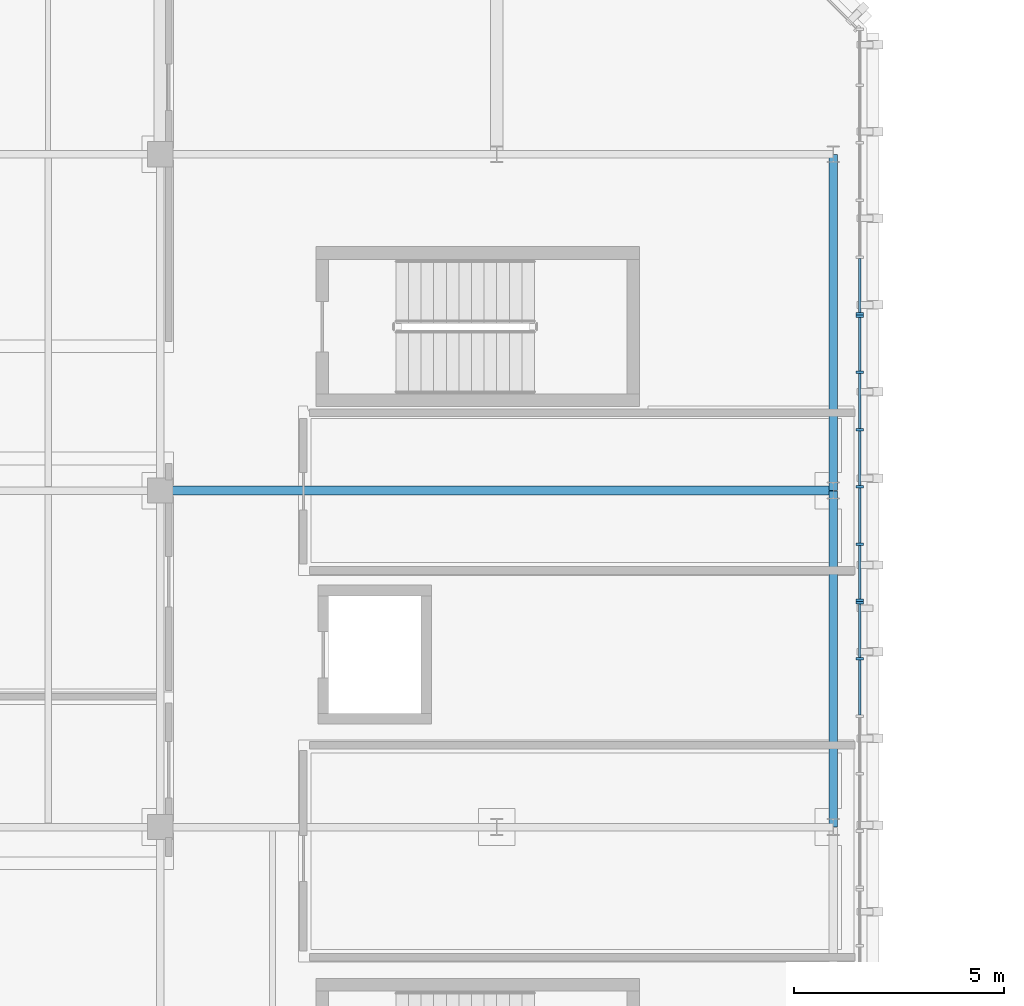
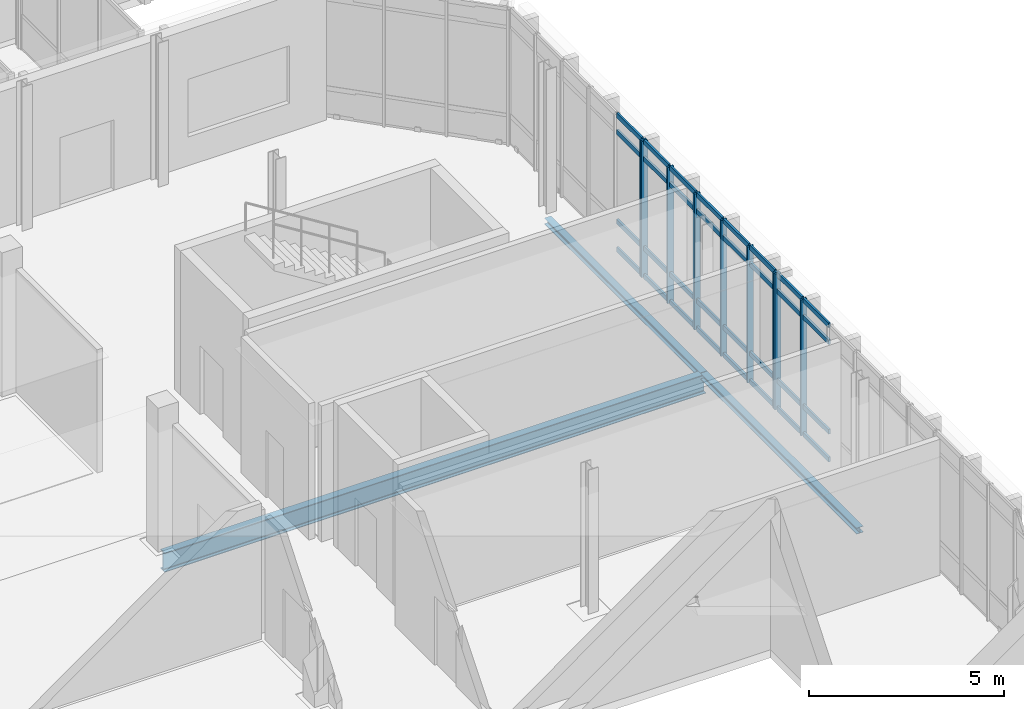
# One storey, part 21 of 86: 41 members, 3 beams, 3 elements without a shape of their own.
"""IFC4 building model written with IfcOpenShell, lengths in metres."""

from ifc_helpers import new_model, si_unit, direction, frame, origin, origin_2d, place, context, subcontext, project, spatial, rectangle, i_section, extrude, material, material_profile, profile_set, type_object, element, aggregate, save


model = new_model("IFC4")

# Units and contexts
model_context = context("Model", 3, precision=1e-05, world=origin(), true_north=direction((0.0, 1.0)))
body_context = subcontext(model_context, "Body", "Model", "MODEL_VIEW")
ifc_project = project(units=[si_unit("LENGTHUNIT", "METRE"), si_unit("AREAUNIT", "SQUARE_METRE"), si_unit("VOLUMEUNIT", "CUBIC_METRE"), si_unit("PLANEANGLEUNIT", "RADIAN"), si_unit("MASSUNIT", "GRAM", prefix="KILO")], contexts=[model_context])

# Site, building, storey
site_placement = place(None, origin())
site = spatial("IfcSite", under=ifc_project, at=site_placement, CompositionType="ELEMENT")
building_placement = place(site_placement, origin())
building = spatial("IfcBuilding", under=site, at=building_placement, Name="Cymarion Research Institute", CompositionType="ELEMENT")
storey_placement = place(building_placement, frame((0.0, 0.0, 13.800048828125)))
storey = spatial("IfcBuildingStorey", under=building, at=storey_placement, Name="L03", CompositionType="ELEMENT", Elevation=13.800048828125)

# Curtain wall, members
ifc_material_1 = material(Name="Anodised aluminium unitised curtain wall with Low-E glazing", Category="aluminium")
curtain_wall_type = type_object("IfcCurtainWallType", Name="UNITISED CURTAIN WALL CW20 6820X4250", PredefinedType="NOTDEFINED", material=ifc_material_1)
curtain_wall_1_placement = place(storey_placement, origin())
curtain_wall_1 = element("IfcCurtainWall", 1, at=curtain_wall_1_placement, inside=storey, type_object=curtain_wall_type, Name="L03 V4 unitised curtain wall CW20 #153", PredefinedType="NOTDEFINED")
ifc_material_2 = material(Name="Anodised aluminium framing", Category="aluminium")
ifc_material_profile_1 = material_profile(ifc_material_2, rectangle(XDim=0.06005859375, YDim=0.179931640625, at=origin_2d()), Name="ALU MULLION 60x180")
ifc_profile_set_1 = profile_set([ifc_material_profile_1], Name="Anodised aluminium framing")
member_type_1 = type_object("IfcMemberType", Name="CURTAIN WALL MULLION ML01 60X180", PredefinedType="MULLION", material=ifc_profile_set_1)
member_1_placement = place(storey_placement, frame((47.22998046875, 59.4970703125, 0.0), z_axis=(0.0, 0.0, 1.0), x_axis=(0.0, 1.0, 0.0)))
member_1 = element("IfcMember", 2, at=member_1_placement, type_object=member_type_1, Name="CW20 mullion 5", PredefinedType="MULLION", context=body_context, shape_type="SweptSolid", body=[
    extrude(rectangle(XDim=0.06005859375, YDim=0.179931640625, at=origin_2d()), origin(), (0.0, 0.0, 1.0), 4.25),
])
member_2_placement = place(storey_placement, frame((47.22998046875, 60.8310546875, 0.0), z_axis=(0.0, 0.0, 1.0), x_axis=(0.0, 1.0, 0.0)))
member_2 = element("IfcMember", 3, at=member_2_placement, type_object=member_type_1, Name="CW20 mullion 6", PredefinedType="MULLION", context=body_context, shape_type="SweptSolid", body=[
    extrude(rectangle(XDim=0.06005859375, YDim=0.179931640625, at=origin_2d()), origin(), (0.0, 0.0, 1.0), 4.25),
])

curtain_wall_2_placement = place(storey_placement, origin())
curtain_wall_2 = element("IfcCurtainWall", 4, at=curtain_wall_2_placement, inside=storey, type_object=curtain_wall_type, Name="L03 V4 unitised curtain wall CW20 #154", PredefinedType="NOTDEFINED")
member_3_placement = place(storey_placement, frame((47.22998046875, 60.89111328125, 0.0), z_axis=(0.0, 0.0, 1.0), x_axis=(0.0, 1.0, 0.0)))
member_3 = element("IfcMember", 5, at=member_3_placement, type_object=member_type_1, Name="CW20 mullion 1", PredefinedType="MULLION", context=body_context, shape_type="SweptSolid", body=[
    extrude(rectangle(XDim=0.06005859375, YDim=0.179931640625, at=origin_2d()), origin(), (0.0, 0.0, 1.0), 4.25),
])
member_4_placement = place(storey_placement, frame((47.22998046875, 62.224853515625, 0.0), z_axis=(0.0, 0.0, 1.0), x_axis=(0.0, 1.0, 0.0)))
member_4 = element("IfcMember", 6, at=member_4_placement, type_object=member_type_1, Name="CW20 mullion 2", PredefinedType="MULLION", context=body_context, shape_type="SweptSolid", body=[
    extrude(rectangle(XDim=0.06005859375, YDim=0.179931640625, at=origin_2d()), origin(), (0.0, 0.0, 1.0), 4.25),
])
member_5_placement = place(storey_placement, frame((47.22998046875, 63.5888671875, 0.0), z_axis=(0.0, 0.0, 1.0), x_axis=(0.0, 1.0, 0.0)))
member_5 = element("IfcMember", 7, at=member_5_placement, type_object=member_type_1, Name="CW20 mullion 3", PredefinedType="MULLION", context=body_context, shape_type="SweptSolid", body=[
    extrude(rectangle(XDim=0.06005859375, YDim=0.179931640625, at=origin_2d()), origin(), (0.0, 0.0, 1.0), 4.25),
])
member_6_placement = place(storey_placement, frame((47.22998046875, 64.95263671875, 0.0), z_axis=(0.0, 0.0, 1.0), x_axis=(0.0, 1.0, 0.0)))
member_6 = element("IfcMember", 8, at=member_6_placement, type_object=member_type_1, Name="CW20 mullion 4", PredefinedType="MULLION", context=body_context, shape_type="SweptSolid", body=[
    extrude(rectangle(XDim=0.06005859375, YDim=0.179931640625, at=origin_2d()), origin(), (0.0, 0.0, 1.0), 4.25),
])
member_7_placement = place(storey_placement, frame((47.22998046875, 66.316650390625, 0.0), z_axis=(0.0, 0.0, 1.0), x_axis=(0.0, 1.0, 0.0)))
member_7 = element("IfcMember", 9, at=member_7_placement, type_object=member_type_1, Name="CW20 mullion 5", PredefinedType="MULLION", context=body_context, shape_type="SweptSolid", body=[
    extrude(rectangle(XDim=0.06005859375, YDim=0.179931640625, at=origin_2d()), origin(), (0.0, 0.0, 1.0), 4.25),
])
member_8_placement = place(storey_placement, frame((47.22998046875, 67.650390625, 0.0), z_axis=(0.0, 0.0, 1.0), x_axis=(0.0, 1.0, 0.0)))
member_8 = element("IfcMember", 10, at=member_8_placement, type_object=member_type_1, Name="CW20 mullion 6", PredefinedType="MULLION", context=body_context, shape_type="SweptSolid", body=[
    extrude(rectangle(XDim=0.06005859375, YDim=0.179931640625, at=origin_2d()), origin(), (0.0, 0.0, 1.0), 4.25),
])

# Curtain wall, member
curtain_wall_3_placement = place(storey_placement, origin())
curtain_wall_3 = element("IfcCurtainWall", 11, at=curtain_wall_3_placement, inside=storey, type_object=curtain_wall_type, Name="L03 V4 unitised curtain wall CW20 #155", PredefinedType="NOTDEFINED")
member_9_placement = place(storey_placement, frame((47.22998046875, 67.71044921875, 0.0), z_axis=(0.0, 0.0, 1.0), x_axis=(0.0, 1.0, 0.0)))
member_9 = element("IfcMember", 12, at=member_9_placement, type_object=member_type_1, Name="CW20 mullion 1", PredefinedType="MULLION", context=body_context, shape_type="SweptSolid", body=[
    extrude(rectangle(XDim=0.06005859375, YDim=0.179931640625, at=origin_2d()), origin(), (0.0, 0.0, 1.0), 4.25),
])

# Member
ifc_material_profile_2 = material_profile(ifc_material_2, rectangle(XDim=0.06005859375, YDim=0.14990234375, at=origin_2d()), Name="ALU TRANSOM 60x150")
ifc_profile_set_2 = profile_set([ifc_material_profile_2], Name="Anodised aluminium framing")
member_type_2 = type_object("IfcMemberType", Name="CURTAIN WALL TRANSOM TR01 60X150", PredefinedType="USERDEFINED", material=ifc_profile_set_2)
member_10_placement = place(storey_placement, frame((47.22998046875, 58.1630859375, 0.030029296875), z_axis=(0.0, 1.0, 0.0), x_axis=(-1.0, 0.0, 0.0)))
member_10 = element("IfcMember", 13, at=member_10_placement, type_object=member_type_2, Name="CW20 transom 4.1", ObjectType="TRANSOM", PredefinedType="USERDEFINED", context=body_context, shape_type="SweptSolid", body=[
    extrude(rectangle(XDim=0.06005859375, YDim=0.14990234375, at=origin_2d()), origin(), (0.0, 0.0, 1.0), 1.303955078125),
])

member_11_placement = place(storey_placement, frame((47.22998046875, 58.1630859375, 0.89990234375), z_axis=(0.0, 1.0, 0.0), x_axis=(-1.0, 0.0, 0.0)))
member_11 = element("IfcMember", 14, at=member_11_placement, type_object=member_type_2, Name="CW20 transom 4.2", ObjectType="TRANSOM", PredefinedType="USERDEFINED", context=body_context, shape_type="SweptSolid", body=[
    extrude(rectangle(XDim=0.06005859375, YDim=0.14990234375, at=origin_2d()), origin(), (0.0, 0.0, 1.0), 1.303955078125),
])

member_12_placement = place(storey_placement, frame((47.22998046875, 58.1630859375, 3.699951171875), z_axis=(0.0, 1.0, 0.0), x_axis=(-1.0, 0.0, 0.0)))
member_12 = element("IfcMember", 15, at=member_12_placement, type_object=member_type_2, Name="CW20 transom 4.3", ObjectType="TRANSOM", PredefinedType="USERDEFINED", context=body_context, shape_type="SweptSolid", body=[
    extrude(rectangle(XDim=0.06005859375, YDim=0.14990234375, at=origin_2d()), origin(), (0.0, 0.0, 1.0), 1.303955078125),
])

member_13_placement = place(storey_placement, frame((47.22998046875, 58.1630859375, 4.219970703125), z_axis=(0.0, 1.0, 0.0), x_axis=(-1.0, 0.0, 0.0)))
member_13 = element("IfcMember", 16, at=member_13_placement, type_object=member_type_2, Name="CW20 transom 4.4", ObjectType="TRANSOM", PredefinedType="USERDEFINED", context=body_context, shape_type="SweptSolid", body=[
    extrude(rectangle(XDim=0.06005859375, YDim=0.14990234375, at=origin_2d()), origin(), (0.0, 0.0, 1.0), 1.303955078125),
])

member_14_placement = place(storey_placement, frame((47.22998046875, 59.527099609375, 0.030029296875), z_axis=(0.0, 1.0, 0.0), x_axis=(-1.0, 0.0, 0.0)))
member_14 = element("IfcMember", 17, at=member_14_placement, type_object=member_type_2, Name="CW20 transom 5.1", ObjectType="TRANSOM", PredefinedType="USERDEFINED", context=body_context, shape_type="SweptSolid", body=[
    extrude(rectangle(XDim=0.06005859375, YDim=0.14990234375, at=origin_2d()), origin(), (0.0, 0.0, 1.0), 1.27392578125),
])

member_15_placement = place(storey_placement, frame((47.22998046875, 59.527099609375, 0.89990234375), z_axis=(0.0, 1.0, 0.0), x_axis=(-1.0, 0.0, 0.0)))
member_15 = element("IfcMember", 18, at=member_15_placement, type_object=member_type_2, Name="CW20 transom 5.2", ObjectType="TRANSOM", PredefinedType="USERDEFINED", context=body_context, shape_type="SweptSolid", body=[
    extrude(rectangle(XDim=0.06005859375, YDim=0.14990234375, at=origin_2d()), origin(), (0.0, 0.0, 1.0), 1.27392578125),
])

member_16_placement = place(storey_placement, frame((47.22998046875, 59.527099609375, 3.699951171875), z_axis=(0.0, 1.0, 0.0), x_axis=(-1.0, 0.0, 0.0)))
member_16 = element("IfcMember", 19, at=member_16_placement, type_object=member_type_2, Name="CW20 transom 5.3", ObjectType="TRANSOM", PredefinedType="USERDEFINED", context=body_context, shape_type="SweptSolid", body=[
    extrude(rectangle(XDim=0.06005859375, YDim=0.14990234375, at=origin_2d()), origin(), (0.0, 0.0, 1.0), 1.27392578125),
])

member_17_placement = place(storey_placement, frame((47.22998046875, 59.527099609375, 4.219970703125), z_axis=(0.0, 1.0, 0.0), x_axis=(-1.0, 0.0, 0.0)))
member_17 = element("IfcMember", 20, at=member_17_placement, type_object=member_type_2, Name="CW20 transom 5.4", ObjectType="TRANSOM", PredefinedType="USERDEFINED", context=body_context, shape_type="SweptSolid", body=[
    extrude(rectangle(XDim=0.06005859375, YDim=0.14990234375, at=origin_2d()), origin(), (0.0, 0.0, 1.0), 1.27392578125),
])

aggregate(curtain_wall_1, [member_1, member_2, member_10, member_11, member_12, member_13, member_14, member_15, member_16, member_17])

member_18_placement = place(storey_placement, frame((47.22998046875, 60.9208984375, 0.030029296875), z_axis=(0.0, 1.0, 0.0), x_axis=(-1.0, 0.0, 0.0)))
member_18 = element("IfcMember", 21, at=member_18_placement, type_object=member_type_2, Name="CW20 transom 1.1", ObjectType="TRANSOM", PredefinedType="USERDEFINED", context=body_context, shape_type="SweptSolid", body=[
    extrude(rectangle(XDim=0.06005859375, YDim=0.14990234375, at=origin_2d()), origin(), (0.0, 0.0, 1.0), 1.27392578125),
])

member_19_placement = place(storey_placement, frame((47.22998046875, 60.9208984375, 0.89990234375), z_axis=(0.0, 1.0, 0.0), x_axis=(-1.0, 0.0, 0.0)))
member_19 = element("IfcMember", 22, at=member_19_placement, type_object=member_type_2, Name="CW20 transom 1.2", ObjectType="TRANSOM", PredefinedType="USERDEFINED", context=body_context, shape_type="SweptSolid", body=[
    extrude(rectangle(XDim=0.06005859375, YDim=0.14990234375, at=origin_2d()), origin(), (0.0, 0.0, 1.0), 1.27392578125),
])

member_20_placement = place(storey_placement, frame((47.22998046875, 60.9208984375, 3.699951171875), z_axis=(0.0, 1.0, 0.0), x_axis=(-1.0, 0.0, 0.0)))
member_20 = element("IfcMember", 23, at=member_20_placement, type_object=member_type_2, Name="CW20 transom 1.3", ObjectType="TRANSOM", PredefinedType="USERDEFINED", context=body_context, shape_type="SweptSolid", body=[
    extrude(rectangle(XDim=0.06005859375, YDim=0.14990234375, at=origin_2d()), origin(), (0.0, 0.0, 1.0), 1.27392578125),
])

member_21_placement = place(storey_placement, frame((47.22998046875, 60.9208984375, 4.219970703125), z_axis=(0.0, 1.0, 0.0), x_axis=(-1.0, 0.0, 0.0)))
member_21 = element("IfcMember", 24, at=member_21_placement, type_object=member_type_2, Name="CW20 transom 1.4", ObjectType="TRANSOM", PredefinedType="USERDEFINED", context=body_context, shape_type="SweptSolid", body=[
    extrude(rectangle(XDim=0.06005859375, YDim=0.14990234375, at=origin_2d()), origin(), (0.0, 0.0, 1.0), 1.27392578125),
])

member_22_placement = place(storey_placement, frame((47.22998046875, 62.2548828125, 0.030029296875), z_axis=(0.0, 1.0, 0.0), x_axis=(-1.0, 0.0, 0.0)))
member_22 = element("IfcMember", 25, at=member_22_placement, type_object=member_type_2, Name="CW20 transom 2.1", ObjectType="TRANSOM", PredefinedType="USERDEFINED", context=body_context, shape_type="SweptSolid", body=[
    extrude(rectangle(XDim=0.06005859375, YDim=0.14990234375, at=origin_2d()), origin(), (0.0, 0.0, 1.0), 1.303955078125),
])

member_23_placement = place(storey_placement, frame((47.22998046875, 62.2548828125, 0.89990234375), z_axis=(0.0, 1.0, 0.0), x_axis=(-1.0, 0.0, 0.0)))
member_23 = element("IfcMember", 26, at=member_23_placement, type_object=member_type_2, Name="CW20 transom 2.2", ObjectType="TRANSOM", PredefinedType="USERDEFINED", context=body_context, shape_type="SweptSolid", body=[
    extrude(rectangle(XDim=0.06005859375, YDim=0.14990234375, at=origin_2d()), origin(), (0.0, 0.0, 1.0), 1.303955078125),
])

member_24_placement = place(storey_placement, frame((47.22998046875, 62.2548828125, 3.699951171875), z_axis=(0.0, 1.0, 0.0), x_axis=(-1.0, 0.0, 0.0)))
member_24 = element("IfcMember", 27, at=member_24_placement, type_object=member_type_2, Name="CW20 transom 2.3", ObjectType="TRANSOM", PredefinedType="USERDEFINED", context=body_context, shape_type="SweptSolid", body=[
    extrude(rectangle(XDim=0.06005859375, YDim=0.14990234375, at=origin_2d()), origin(), (0.0, 0.0, 1.0), 1.303955078125),
])

member_25_placement = place(storey_placement, frame((47.22998046875, 62.2548828125, 4.219970703125), z_axis=(0.0, 1.0, 0.0), x_axis=(-1.0, 0.0, 0.0)))
member_25 = element("IfcMember", 28, at=member_25_placement, type_object=member_type_2, Name="CW20 transom 2.4", ObjectType="TRANSOM", PredefinedType="USERDEFINED", context=body_context, shape_type="SweptSolid", body=[
    extrude(rectangle(XDim=0.06005859375, YDim=0.14990234375, at=origin_2d()), origin(), (0.0, 0.0, 1.0), 1.303955078125),
])

member_26_placement = place(storey_placement, frame((47.22998046875, 63.618896484375, 0.030029296875), z_axis=(0.0, 1.0, 0.0), x_axis=(-1.0, 0.0, 0.0)))
member_26 = element("IfcMember", 29, at=member_26_placement, type_object=member_type_2, Name="CW20 transom 3.1", ObjectType="TRANSOM", PredefinedType="USERDEFINED", context=body_context, shape_type="SweptSolid", body=[
    extrude(rectangle(XDim=0.06005859375, YDim=0.14990234375, at=origin_2d()), origin(), (0.0, 0.0, 1.0), 1.3037109375),
])

member_27_placement = place(storey_placement, frame((47.22998046875, 63.618896484375, 0.89990234375), z_axis=(0.0, 1.0, 0.0), x_axis=(-1.0, 0.0, 0.0)))
member_27 = element("IfcMember", 30, at=member_27_placement, type_object=member_type_2, Name="CW20 transom 3.2", ObjectType="TRANSOM", PredefinedType="USERDEFINED", context=body_context, shape_type="SweptSolid", body=[
    extrude(rectangle(XDim=0.06005859375, YDim=0.14990234375, at=origin_2d()), origin(), (0.0, 0.0, 1.0), 1.3037109375),
])

member_28_placement = place(storey_placement, frame((47.22998046875, 63.618896484375, 3.699951171875), z_axis=(0.0, 1.0, 0.0), x_axis=(-1.0, 0.0, 0.0)))
member_28 = element("IfcMember", 31, at=member_28_placement, type_object=member_type_2, Name="CW20 transom 3.3", ObjectType="TRANSOM", PredefinedType="USERDEFINED", context=body_context, shape_type="SweptSolid", body=[
    extrude(rectangle(XDim=0.06005859375, YDim=0.14990234375, at=origin_2d()), origin(), (0.0, 0.0, 1.0), 1.3037109375),
])

member_29_placement = place(storey_placement, frame((47.22998046875, 63.618896484375, 4.219970703125), z_axis=(0.0, 1.0, 0.0), x_axis=(-1.0, 0.0, 0.0)))
member_29 = element("IfcMember", 32, at=member_29_placement, type_object=member_type_2, Name="CW20 transom 3.4", ObjectType="TRANSOM", PredefinedType="USERDEFINED", context=body_context, shape_type="SweptSolid", body=[
    extrude(rectangle(XDim=0.06005859375, YDim=0.14990234375, at=origin_2d()), origin(), (0.0, 0.0, 1.0), 1.3037109375),
])

member_30_placement = place(storey_placement, frame((47.22998046875, 64.982666015625, 0.030029296875), z_axis=(0.0, 1.0, 0.0), x_axis=(-1.0, 0.0, 0.0)))
member_30 = element("IfcMember", 33, at=member_30_placement, type_object=member_type_2, Name="CW20 transom 4.1", ObjectType="TRANSOM", PredefinedType="USERDEFINED", context=body_context, shape_type="SweptSolid", body=[
    extrude(rectangle(XDim=0.06005859375, YDim=0.14990234375, at=origin_2d()), origin(), (0.0, 0.0, 1.0), 1.303955078125),
])

member_31_placement = place(storey_placement, frame((47.22998046875, 64.982666015625, 0.89990234375), z_axis=(0.0, 1.0, 0.0), x_axis=(-1.0, 0.0, 0.0)))
member_31 = element("IfcMember", 34, at=member_31_placement, type_object=member_type_2, Name="CW20 transom 4.2", ObjectType="TRANSOM", PredefinedType="USERDEFINED", context=body_context, shape_type="SweptSolid", body=[
    extrude(rectangle(XDim=0.06005859375, YDim=0.14990234375, at=origin_2d()), origin(), (0.0, 0.0, 1.0), 1.303955078125),
])

member_32_placement = place(storey_placement, frame((47.22998046875, 64.982666015625, 3.699951171875), z_axis=(0.0, 1.0, 0.0), x_axis=(-1.0, 0.0, 0.0)))
member_32 = element("IfcMember", 35, at=member_32_placement, type_object=member_type_2, Name="CW20 transom 4.3", ObjectType="TRANSOM", PredefinedType="USERDEFINED", context=body_context, shape_type="SweptSolid", body=[
    extrude(rectangle(XDim=0.06005859375, YDim=0.14990234375, at=origin_2d()), origin(), (0.0, 0.0, 1.0), 1.303955078125),
])

member_33_placement = place(storey_placement, frame((47.22998046875, 64.982666015625, 4.219970703125), z_axis=(0.0, 1.0, 0.0), x_axis=(-1.0, 0.0, 0.0)))
member_33 = element("IfcMember", 36, at=member_33_placement, type_object=member_type_2, Name="CW20 transom 4.4", ObjectType="TRANSOM", PredefinedType="USERDEFINED", context=body_context, shape_type="SweptSolid", body=[
    extrude(rectangle(XDim=0.06005859375, YDim=0.14990234375, at=origin_2d()), origin(), (0.0, 0.0, 1.0), 1.303955078125),
])

member_34_placement = place(storey_placement, frame((47.22998046875, 66.3466796875, 0.030029296875), z_axis=(0.0, 1.0, 0.0), x_axis=(-1.0, 0.0, 0.0)))
member_34 = element("IfcMember", 37, at=member_34_placement, type_object=member_type_2, Name="CW20 transom 5.1", ObjectType="TRANSOM", PredefinedType="USERDEFINED", context=body_context, shape_type="SweptSolid", body=[
    extrude(rectangle(XDim=0.06005859375, YDim=0.14990234375, at=origin_2d()), origin(), (0.0, 0.0, 1.0), 1.27392578125),
])

member_35_placement = place(storey_placement, frame((47.22998046875, 66.3466796875, 0.89990234375), z_axis=(0.0, 1.0, 0.0), x_axis=(-1.0, 0.0, 0.0)))
member_35 = element("IfcMember", 38, at=member_35_placement, type_object=member_type_2, Name="CW20 transom 5.2", ObjectType="TRANSOM", PredefinedType="USERDEFINED", context=body_context, shape_type="SweptSolid", body=[
    extrude(rectangle(XDim=0.06005859375, YDim=0.14990234375, at=origin_2d()), origin(), (0.0, 0.0, 1.0), 1.27392578125),
])

member_36_placement = place(storey_placement, frame((47.22998046875, 66.3466796875, 3.699951171875), z_axis=(0.0, 1.0, 0.0), x_axis=(-1.0, 0.0, 0.0)))
member_36 = element("IfcMember", 39, at=member_36_placement, type_object=member_type_2, Name="CW20 transom 5.3", ObjectType="TRANSOM", PredefinedType="USERDEFINED", context=body_context, shape_type="SweptSolid", body=[
    extrude(rectangle(XDim=0.06005859375, YDim=0.14990234375, at=origin_2d()), origin(), (0.0, 0.0, 1.0), 1.27392578125),
])

member_37_placement = place(storey_placement, frame((47.22998046875, 66.3466796875, 4.219970703125), z_axis=(0.0, 1.0, 0.0), x_axis=(-1.0, 0.0, 0.0)))
member_37 = element("IfcMember", 40, at=member_37_placement, type_object=member_type_2, Name="CW20 transom 5.4", ObjectType="TRANSOM", PredefinedType="USERDEFINED", context=body_context, shape_type="SweptSolid", body=[
    extrude(rectangle(XDim=0.06005859375, YDim=0.14990234375, at=origin_2d()), origin(), (0.0, 0.0, 1.0), 1.27392578125),
])

aggregate(curtain_wall_2, [member_3, member_4, member_5, member_6, member_7, member_8, member_18, member_19, member_20, member_21, member_22, member_23, member_24, member_25, member_26, member_27, member_28, member_29, member_30, member_31, member_32, member_33, member_34, member_35, member_36, member_37])

member_38_placement = place(storey_placement, frame((47.22998046875, 67.740478515625, 0.030029296875), z_axis=(0.0, 1.0, 0.0), x_axis=(-1.0, 0.0, 0.0)))
member_38 = element("IfcMember", 41, at=member_38_placement, type_object=member_type_2, Name="CW20 transom 1.1", ObjectType="TRANSOM", PredefinedType="USERDEFINED", context=body_context, shape_type="SweptSolid", body=[
    extrude(rectangle(XDim=0.06005859375, YDim=0.14990234375, at=origin_2d()), origin(), (0.0, 0.0, 1.0), 1.27392578125),
])

member_39_placement = place(storey_placement, frame((47.22998046875, 67.740478515625, 0.89990234375), z_axis=(0.0, 1.0, 0.0), x_axis=(-1.0, 0.0, 0.0)))
member_39 = element("IfcMember", 42, at=member_39_placement, type_object=member_type_2, Name="CW20 transom 1.2", ObjectType="TRANSOM", PredefinedType="USERDEFINED", context=body_context, shape_type="SweptSolid", body=[
    extrude(rectangle(XDim=0.06005859375, YDim=0.14990234375, at=origin_2d()), origin(), (0.0, 0.0, 1.0), 1.27392578125),
])

member_40_placement = place(storey_placement, frame((47.22998046875, 67.740478515625, 3.699951171875), z_axis=(0.0, 1.0, 0.0), x_axis=(-1.0, 0.0, 0.0)))
member_40 = element("IfcMember", 43, at=member_40_placement, type_object=member_type_2, Name="CW20 transom 1.3", ObjectType="TRANSOM", PredefinedType="USERDEFINED", context=body_context, shape_type="SweptSolid", body=[
    extrude(rectangle(XDim=0.06005859375, YDim=0.14990234375, at=origin_2d()), origin(), (0.0, 0.0, 1.0), 1.27392578125),
])

member_41_placement = place(storey_placement, frame((47.22998046875, 67.740478515625, 4.219970703125), z_axis=(0.0, 1.0, 0.0), x_axis=(-1.0, 0.0, 0.0)))
member_41 = element("IfcMember", 44, at=member_41_placement, type_object=member_type_2, Name="CW20 transom 1.4", ObjectType="TRANSOM", PredefinedType="USERDEFINED", context=body_context, shape_type="SweptSolid", body=[
    extrude(rectangle(XDim=0.06005859375, YDim=0.14990234375, at=origin_2d()), origin(), (0.0, 0.0, 1.0), 1.27392578125),
])

aggregate(curtain_wall_3, [member_9, member_38, member_39, member_40, member_41])

# Beams
ifc_material_3 = material(Name="Steel S355", Category="steel")
ifc_material_profile_3 = material_profile(ifc_material_3, i_section(OverallWidth=0.219970703125, OverallDepth=0.60009765625, WebThickness=0.011962890625, FlangeThickness=0.01904296875, FilletRadius=0.02392578125, at=origin_2d()), Name="IPE 600")
ifc_profile_set_3 = profile_set([ifc_material_profile_3], Name="Steel S355")
beam_type_1 = type_object("IfcBeamType", Name="PRIMARY GIRDER BM01 IPE 600", PredefinedType="BEAM", material=ifc_profile_set_3)
beam_placement = place(storey_placement, frame((30.60595703125, 63.5, -0.550048828125), z_axis=(1.0, 0.0, 0.0), x_axis=(0.0, 1.0, 0.0)))
element("IfcBeam", 45, at=beam_placement, inside=storey, type_object=beam_type_1, Name="L03 V4 girder BM01 #1466", PredefinedType="BEAM", context=body_context, shape_type="SweptSolid", body=[
    extrude(i_section(OverallWidth=0.219970703125, OverallDepth=0.60009765625, WebThickness=0.011962890625, FlangeThickness=0.01904296875, FilletRadius=0.02392578125, at=origin_2d()), origin(), (0.0, 0.0, 1.0), 15.988037109375),
])
ifc_material_profile_4 = material_profile(ifc_material_3, i_section(OverallWidth=0.199951171875, OverallDepth=0.18994140625, WebThickness=0.006591796875, FlangeThickness=0.010009765625, FilletRadius=0.01806640625, at=origin_2d()), Name="HEA 200")
ifc_profile_set_4 = profile_set([ifc_material_profile_4], Name="Steel S355")
beam_type_2 = type_object("IfcBeamType", Name="SPANDREL BEAM SPB04 HEA 200", PredefinedType="SPANDREL", material=ifc_profile_set_4)
for number, where, z_axis, x_axis, name in (
    (46, (46.60009765625, 55.506103515625, -0.344970703125), (0.0, 1.0, 0.0), (-1.0, 0.0, 0.0), "L03 V4 girder SPB04 #1498"),
    (47, (46.60009765625, 63.506103515625, -0.344970703125), (0.0, 1.0, 0.0), (-1.0, 0.0, 0.0), "L03 V4 girder SPB04 #1499"),
):
    element("IfcBeam", number, at=place(storey_placement, frame(where, z_axis=z_axis, x_axis=x_axis)), inside=storey, type_object=beam_type_2, Name=name, PredefinedType="SPANDREL", context=body_context, shape_type="SweptSolid", body=[
        extrude(i_section(OverallWidth=0.199951171875, OverallDepth=0.18994140625, WebThickness=0.006591796875, FlangeThickness=0.010009765625, FilletRadius=0.01806640625, at=origin_2d()), origin(), (0.0, 0.0, 1.0), 7.98779296875),
    ])

save(model, "model.ifc")
